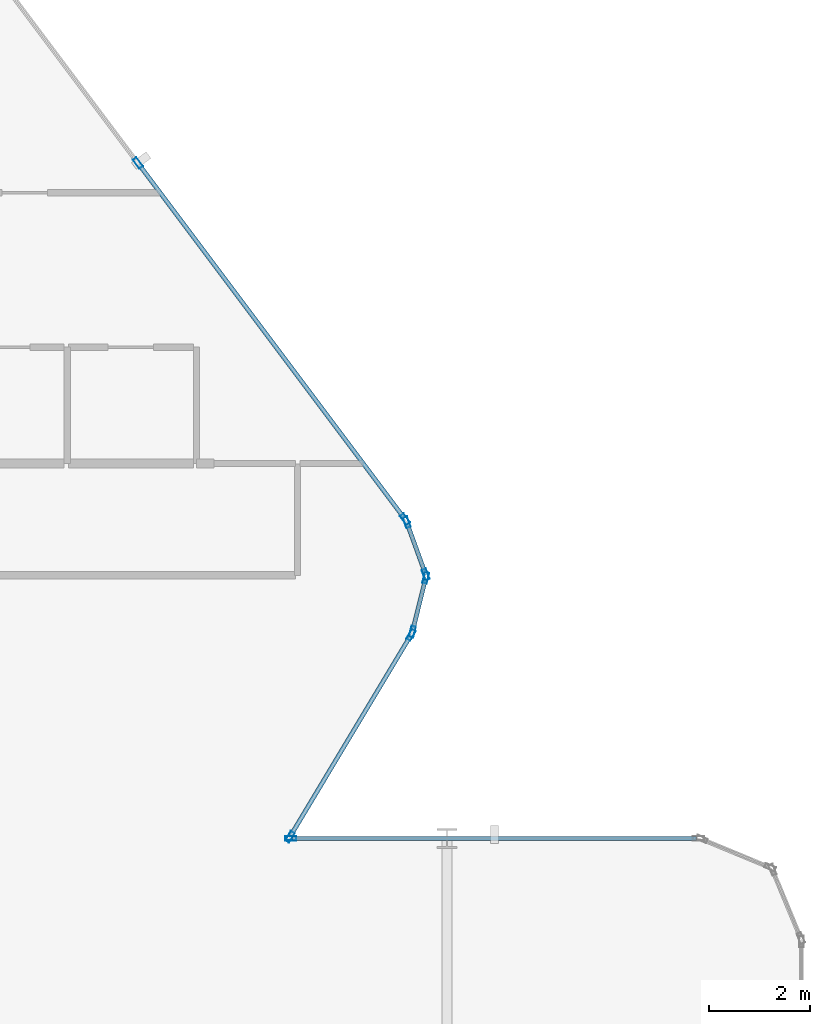
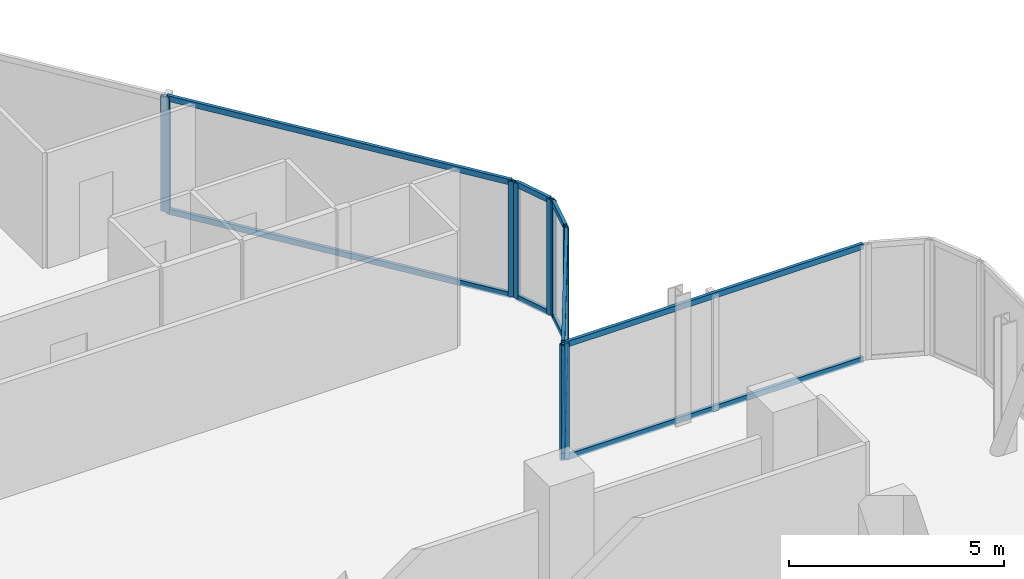
# One storey, part 15 of 34: 19 members, 5 elements without a shape of their own.
"""IFC4 building model written with IfcOpenShell, lengths in metres."""

import ifcopenshell
import ifcopenshell.guid

model = None  # the IFC model being written
_history = None  # IfcOwnerHistory: only IFC2X3 demands one
_inside = {}  # id of a spatial element -> (the spatial element, [elements in it])
_under = {}  # id of a project, library or spatial element -> (it, [spatial elements below it])
_declared = {}  # id of a project -> (the project, [libraries it declares])
_typed = {}  # id of a type object -> (the type object, [elements of that type])
_made_of = {}  # id of a material, layer set ... -> (it, [elements and type objects made of it])


def new_model(schema):
    """Start an empty IFC model of exactly this schema.

    Asked for "IFC4X3", IfcOpenShell would pick the latest addendum, in which some entities
    have other attributes; the version numbers below select the first issue.
    IFC2X3 requires an IfcOwnerHistory on every rooted entity: one is made here for all.
    """
    global model, _history
    if schema == "IFC4X3":
        model = ifcopenshell.file(schema_version=(4, 3, 0, 0))
    else:
        model = ifcopenshell.file(schema=schema)
    _inside.clear()
    _under.clear()
    _declared.clear()
    _typed.clear()
    _made_of.clear()
    _history = None
    if model.schema == "IFC2X3":
        org = make("IfcOrganization", Name="unknown")
        user = make(
            "IfcPersonAndOrganization",
            ThePerson=make("IfcPerson", FamilyName="unknown"),
            TheOrganization=org,
        )
        app = make(
            "IfcApplication",
            ApplicationDeveloper=org,
            Version="unknown",
            ApplicationFullName="unknown",
            ApplicationIdentifier="unknown",
        )
        _history = make(
            "IfcOwnerHistory",
            OwningUser=user,
            OwningApplication=app,
            ChangeAction="ADDED",
            CreationDate=0,
        )
    return model


def make(cls, **values):
    """One entity of the class cls with the attributes given. An attribute that is None is left unset."""
    return model.create_entity(
        cls, **{name: value for name, value in values.items() if value is not None}
    )


def rooted(cls, **values):
    """An entity with a GlobalId (a new one), such as an element, a storey or a relation."""
    return make(cls, GlobalId=ifcopenshell.guid.new(), OwnerHistory=_history, **values)


def si_unit(unit_type, name, prefix=None):
    """IfcSIUnit, for example si_unit("LENGTHUNIT", "METRE", prefix="MILLI")."""
    return make("IfcSIUnit", UnitType=unit_type, Prefix=prefix, Name=name)


def assignment(units):
    """IfcUnitAssignment: the units of a project."""
    return None if units is None else make("IfcUnitAssignment", Units=units)


def point(xyz):
    """IfcCartesianPoint."""
    return None if xyz is None else make("IfcCartesianPoint", Coordinates=xyz)


def direction(xyz):
    """IfcDirection."""
    return None if xyz is None else make("IfcDirection", DirectionRatios=xyz)


def frame(location, z_axis=None, x_axis=None):
    """IfcAxis2Placement3D, a coordinate frame: its origin and axes. An axis left out is left unset."""
    return make(
        "IfcAxis2Placement3D",
        Location=point(location),
        Axis=direction(z_axis),
        RefDirection=direction(x_axis),
    )


def frame_2d(location, x_axis=None):
    """IfcAxis2Placement2D, a coordinate frame in the plane: its origin and x axis."""
    return make(
        "IfcAxis2Placement2D", Location=point(location), RefDirection=direction(x_axis)
    )


def origin():
    """The frame at (0, 0, 0) with its axes left unset."""
    return frame((0.0, 0.0, 0.0))


def origin_2d():
    """The frame at (0, 0) in the plane with its x axis left unset."""
    return frame_2d((0.0, 0.0))


def place(relative_to, where):
    """IfcLocalPlacement: puts the frame where relative to a parent placement (None: the world)."""
    return make(
        "IfcLocalPlacement", PlacementRelTo=relative_to, RelativePlacement=where
    )


def context(
    kind, dimensions, precision=None, world=None, true_north=None, identifier=None
):
    """IfcGeometricRepresentationContext, for example the 3D "Model" context."""
    return make(
        "IfcGeometricRepresentationContext",
        ContextIdentifier=identifier,
        ContextType=kind,
        CoordinateSpaceDimension=dimensions,
        Precision=precision,
        WorldCoordinateSystem=world,
        TrueNorth=true_north,
    )


def subcontext(parent, identifier, kind, view, scale=None):
    """IfcGeometricRepresentationSubContext, for example "Body" below "Model"."""
    return make(
        "IfcGeometricRepresentationSubContext",
        ContextIdentifier=identifier,
        ContextType=kind,
        ParentContext=parent,
        TargetScale=scale,
        TargetView=view,
    )


def project(units=None, contexts=None):
    """IfcProject with its units and contexts."""
    return rooted(
        "IfcProject",
        Name="project",
        RepresentationContexts=contexts,
        UnitsInContext=assignment(units),
    )


def spatial(cls, under=None, at=None, **own):
    """A site, building, storey or space (cls), placed at a placement, below another one or the project."""
    s = rooted(cls, ObjectPlacement=at, **own)
    if under is not None:
        _under.setdefault(under.id(), (under, []))[1].append(s)
    return s


def profile(cls, at=None, kind="AREA", **sizes):
    """A parametric profile (cls). Its sizes go by their IFC names, for example OverallWidth=200.0."""
    return make(cls, ProfileType=kind, Position=at, **sizes)


def hollow_rectangle(**sizes):
    """IfcRectangleHollowProfileDef."""
    return profile("IfcRectangleHollowProfileDef", **sizes)


def extrude(swept, where, along, depth):
    """IfcExtrudedAreaSolid: the profile swept, set in the frame where, extruded along a direction by depth."""
    return make(
        "IfcExtrudedAreaSolid",
        SweptArea=swept,
        Position=where,
        ExtrudedDirection=direction(along),
        Depth=depth,
    )


def shape(context_of_items, identifier, shape_type, items):
    """IfcShapeRepresentation: the items that make up one representation, for example the "Body"."""
    return make(
        "IfcShapeRepresentation",
        ContextOfItems=context_of_items,
        RepresentationIdentifier=identifier,
        RepresentationType=shape_type,
        Items=items,
    )


def material(Name=None, Category=None):
    """IfcMaterial."""
    return make("IfcMaterial", Name=Name, Category=Category)


def layer(
    of_material, thickness, ventilated=None, Name=None, Category=None, Priority=None
):
    """IfcMaterialLayer: one layer of a wall or slab, of a material (None: an air gap)."""
    return make(
        "IfcMaterialLayer",
        Material=of_material,
        LayerThickness=thickness,
        IsVentilated=ventilated,
        Name=Name,
        Category=Category,
        Priority=Priority,
    )


def layer_set(layers, Name=None):
    """IfcMaterialLayerSet."""
    return make("IfcMaterialLayerSet", MaterialLayers=layers, LayerSetName=Name)


def material_profile(
    of_material, cross_section, Name=None, Category=None, Priority=None
):
    """IfcMaterialProfile: a cross section and its material."""
    return make(
        "IfcMaterialProfile",
        Name=Name,
        Material=of_material,
        Profile=cross_section,
        Priority=Priority,
        Category=Category,
    )


def profile_set(profiles, Name=None, composite=None):
    """IfcMaterialProfileSet."""
    return make(
        "IfcMaterialProfileSet",
        Name=Name,
        MaterialProfiles=profiles,
        CompositeProfile=composite,
    )


def made_of(thing, what):
    """Note that an element or type object is made of a material, layer set ...; save() writes the relation."""
    if what is not None:
        _made_of.setdefault(what.id(), (what, []))[1].append(thing)
    return thing


def type_object(cls, material=None, **own):
    """A type object (cls), such as IfcWallType, which elements share."""
    return made_of(rooted(cls, **own), material)


def element(
    cls,
    number,
    at=None,
    inside=None,
    cuts=None,
    type_object=None,
    material=None,
    context=None,
    identifier="Body",
    shape_type=None,
    held_by="IfcProductDefinitionShape",
    body=None,
    shapes=None,
    **own,
):
    """One element of the class cls, such as IfcWall. Its Tag is "e" and its number.

    at: its placement. inside: the storey or other place that contains it. cuts: it is an
    opening in that element (IfcRelVoidsElement). A single representation is given by context,
    identifier, shape_type and body (its items); several are given by shapes. held_by: the class
    of the entity that holds the representations. save() writes the other relations.
    """
    e = rooted(cls, Tag="e%d" % number, ObjectPlacement=at, **own)
    if body is not None:
        shapes = [shape(context, identifier, shape_type, body)]
    if shapes is not None:
        e.Representation = make(held_by, Representations=shapes)
    if inside is not None:
        _inside.setdefault(inside.id(), (inside, []))[1].append(e)
    if cuts is not None:
        rooted(
            "IfcRelVoidsElement", RelatingBuildingElement=cuts, RelatedOpeningElement=e
        )
    if type_object is not None:
        _typed.setdefault(type_object.id(), (type_object, []))[1].append(e)
    return made_of(e, material)


def aggregate(whole, parts):
    """IfcRelAggregates: a whole, such as a stair, and the parts it consists of."""
    return rooted("IfcRelAggregates", RelatingObject=whole, RelatedObjects=parts)


def save(model, path):
    """Write the relations noted so far, then the file.

    IfcRelAggregates (storeys below a building ...), IfcRelContainedInSpatialStructure (elements
    in a storey), IfcRelDefinesByType, IfcRelAssociatesMaterial and IfcRelDeclares: one each for
    every whole, place, type object, material and project.
    """
    for whole, parts in _under.values():
        aggregate(whole, parts)
    for where, things in _inside.values():
        rooted(
            "IfcRelContainedInSpatialStructure",
            RelatedElements=things,
            RelatingStructure=where,
        )
    for kind, things in _typed.values():
        rooted("IfcRelDefinesByType", RelatedObjects=things, RelatingType=kind)
    for what, things in _made_of.values():
        rooted("IfcRelAssociatesMaterial", RelatedObjects=things, RelatingMaterial=what)
    for by, libraries in _declared.values():
        rooted("IfcRelDeclares", RelatingContext=by, RelatedDefinitions=libraries)
    model.write(path)


model = new_model("IFC4")

# Units and contexts
model_context = context("Model", 3, precision=1e-05, world=origin(), true_north=direction((0.0, 1.0)))
body_context = subcontext(model_context, "Body", "Model", "MODEL_VIEW")
ifc_project = project(units=[si_unit("LENGTHUNIT", "METRE"), si_unit("AREAUNIT", "SQUARE_METRE"), si_unit("VOLUMEUNIT", "CUBIC_METRE"), si_unit("PLANEANGLEUNIT", "RADIAN"), si_unit("MASSUNIT", "GRAM", prefix="KILO")], contexts=[model_context])

# Site, building, storey
site_placement = place(None, origin())
site = spatial("IfcSite", under=ifc_project, at=site_placement, CompositionType="ELEMENT")
building_placement = place(site_placement, origin())
building = spatial("IfcBuilding", under=site, at=building_placement, Name="Keshet Zoharim Tower", CompositionType="ELEMENT")
storey_placement = place(building_placement, frame((0.0, 0.0, 77.5)))
storey = spatial("IfcBuildingStorey", under=building, at=storey_placement, Name="L18", CompositionType="ELEMENT", Elevation=77.5)

# Curtain wall, members
ifc_material = material(Name="Aluminium 6063-T6", Category="aluminium")
ifc_layer_1 = layer(ifc_material, 0.169921875)
ifc_layer_set_1 = layer_set([ifc_layer_1], Name="Aluminium 6063-T6")
curtain_wall_type_1 = type_object("IfcCurtainWallType", Name="CW-SYS-02", PredefinedType="NOTDEFINED", material=ifc_layer_set_1)
curtain_wall_1_placement = place(storey_placement, origin())
curtain_wall_1 = element("IfcCurtainWall", 1, at=curtain_wall_1_placement, inside=storey, type_object=curtain_wall_type_1, Name="L18 Unitised Curtain Wall 09", PredefinedType="NOTDEFINED")
ifc_material_profile_1 = material_profile(ifc_material, hollow_rectangle(XDim=0.090087890625, YDim=0.219970703125, WallThickness=0.0048828125, at=origin_2d()), Name="MUL-90x220")
ifc_profile_set_1 = profile_set([ifc_material_profile_1], Name="Aluminium 6063-T6")
member_type_1 = type_object("IfcMemberType", Name="CWM-M22", PredefinedType="MULLION", material=ifc_profile_set_1)
member_1_placement = place(storey_placement, frame((56.896484375, 46.0380859375, 0.0), z_axis=(0.0, 0.0, 1.0), x_axis=(0.799999999998, 0.600000000002, 0.0)))
member_1 = element("IfcMember", 2, at=member_1_placement, type_object=member_type_1, Name="CW-02 mullion 2", PredefinedType="MULLION", context=body_context, shape_type="SweptSolid", body=[
    extrude(hollow_rectangle(XDim=0.090087890625, YDim=0.219970703125, WallThickness=0.0048828125, at=origin_2d()), origin(), (0.0, 0.0, 1.0), 3.280029296875),
])
member_2_placement = place(storey_placement, frame((62.172119140625, 39.00390625, 0.0), z_axis=(0.0, 0.0, 1.0), x_axis=(0.799999999998, 0.600000000002, 0.0)))
member_2 = element("IfcMember", 3, at=member_2_placement, type_object=member_type_1, Name="CW-02 mullion 3", PredefinedType="MULLION", context=body_context, shape_type="SweptSolid", body=[
    extrude(hollow_rectangle(XDim=0.090087890625, YDim=0.219970703125, WallThickness=0.0048828125, at=origin_2d()), origin(), (0.0, 0.0, 1.0), 3.280029296875),
])

curtain_wall_2_placement = place(storey_placement, origin())
curtain_wall_2 = element("IfcCurtainWall", 4, at=curtain_wall_2_placement, inside=storey, type_object=curtain_wall_type_1, Name="L18 Unitised Curtain Wall 10", PredefinedType="NOTDEFINED")
member_3_placement = place(storey_placement, frame((62.204833984375, 38.943115234375, 0.0), z_axis=(0.0, 0.0, 1.0), x_axis=(0.940317877544, 0.340297354046, 0.0)))
member_3 = element("IfcMember", 5, at=member_3_placement, type_object=member_type_1, Name="CW-02 mullion 1", PredefinedType="MULLION", context=body_context, shape_type="SweptSolid", body=[
    extrude(hollow_rectangle(XDim=0.090087890625, YDim=0.219970703125, WallThickness=0.0048828125, at=origin_2d()), origin(), (0.0, 0.0, 1.0), 3.280029296875),
])
member_4_placement = place(storey_placement, frame((62.578125, 37.911865234375, 0.0), z_axis=(0.0, 0.0, 1.0), x_axis=(0.940317877544, 0.340297354046, 0.0)))
member_4 = element("IfcMember", 6, at=member_4_placement, type_object=member_type_1, Name="CW-02 mullion 2", PredefinedType="MULLION", context=body_context, shape_type="SweptSolid", body=[
    extrude(hollow_rectangle(XDim=0.090087890625, YDim=0.219970703125, WallThickness=0.0048828125, at=origin_2d()), origin(), (0.0, 0.0, 1.0), 3.280029296875),
])

curtain_wall_3_placement = place(storey_placement, origin())
curtain_wall_3 = element("IfcCurtainWall", 7, at=curtain_wall_3_placement, inside=storey, type_object=curtain_wall_type_1, Name="L18 Unitised Curtain Wall 11", PredefinedType="NOTDEFINED")
member_5_placement = place(storey_placement, frame((62.58154296875, 37.844970703125, 0.0), z_axis=(0.0, 0.0, 1.0), x_axis=(0.970343857447, -0.241728770141, 0.0)))
member_5 = element("IfcMember", 8, at=member_5_placement, type_object=member_type_1, Name="CW-02 mullion 1", PredefinedType="MULLION", context=body_context, shape_type="SweptSolid", body=[
    extrude(hollow_rectangle(XDim=0.090087890625, YDim=0.219970703125, WallThickness=0.0048828125, at=origin_2d()), origin(), (0.0, 0.0, 1.0), 3.280029296875),
])
member_6_placement = place(storey_placement, frame((62.31640625, 36.781005859375, 0.0), z_axis=(0.0, 0.0, 1.0), x_axis=(0.970343857447, -0.241728770141, 0.0)))
member_6 = element("IfcMember", 9, at=member_6_placement, type_object=member_type_1, Name="CW-02 mullion 2", PredefinedType="MULLION", context=body_context, shape_type="SweptSolid", body=[
    extrude(hollow_rectangle(XDim=0.090087890625, YDim=0.219970703125, WallThickness=0.0048828125, at=origin_2d()), origin(), (0.0, 0.0, 1.0), 3.280029296875),
])

ifc_layer_2 = layer(ifc_material, 0.179931640625)
ifc_layer_set_2 = layer_set([ifc_layer_2], Name="Aluminium 6063-T6")
curtain_wall_type_2 = type_object("IfcCurtainWallType", Name="CW-SYS-01", PredefinedType="NOTDEFINED", material=ifc_layer_set_2)
curtain_wall_4_placement = place(storey_placement, origin())
curtain_wall_4 = element("IfcCurtainWall", 10, at=curtain_wall_4_placement, inside=storey, type_object=curtain_wall_type_2, Name="L18 Unitised Curtain Wall 12", PredefinedType="NOTDEFINED")
member_7_placement = place(storey_placement, frame((62.2900390625, 36.717041015625, 0.0), z_axis=(0.0, 0.0, 1.0), x_axis=(0.857511621163, -0.51446459506, 0.0)))
member_7 = element("IfcMember", 11, at=member_7_placement, type_object=member_type_1, Name="CW-01 mullion 1", PredefinedType="MULLION", context=body_context, shape_type="SweptSolid", body=[
    extrude(hollow_rectangle(XDim=0.090087890625, YDim=0.219970703125, WallThickness=0.0048828125, at=origin_2d()), origin(), (0.0, 0.0, 1.0), 3.280029296875),
])
member_8_placement = place(storey_placement, frame((59.89794921875, 32.72998046875, 0.0), z_axis=(0.0, 0.0, 1.0), x_axis=(0.857511621163, -0.51446459506, 0.0)))
member_8 = element("IfcMember", 12, at=member_8_placement, type_object=member_type_1, Name="CW-01 mullion 2", PredefinedType="MULLION", context=body_context, shape_type="SweptSolid", body=[
    extrude(hollow_rectangle(XDim=0.090087890625, YDim=0.219970703125, WallThickness=0.0048828125, at=origin_2d()), origin(), (0.0, 0.0, 1.0), 3.280029296875),
])

# Curtain wall, member
curtain_wall_5_placement = place(storey_placement, origin())
curtain_wall_5 = element("IfcCurtainWall", 13, at=curtain_wall_5_placement, inside=storey, type_object=curtain_wall_type_1, Name="L18 Unitised Curtain Wall 13", PredefinedType="NOTDEFINED")
member_9_placement = place(storey_placement, frame((59.9150390625, 32.699951171875, 0.0), z_axis=(0.0, 0.0, 1.0), x_axis=(0.0, 1.0, 0.0)))
member_9 = element("IfcMember", 14, at=member_9_placement, type_object=member_type_1, Name="CW-02 mullion 1", PredefinedType="MULLION", context=body_context, shape_type="SweptSolid", body=[
    extrude(hollow_rectangle(XDim=0.090087890625, YDim=0.219970703125, WallThickness=0.0048828125, at=origin_2d()), origin(), (0.0, 0.0, 1.0), 3.280029296875),
])

# Member
ifc_material_profile_2 = material_profile(ifc_material, hollow_rectangle(XDim=0.0849609375, YDim=0.159912109375, WallThickness=0.00439453125, at=origin_2d()), Name="TRN-85x160")
ifc_profile_set_2 = profile_set([ifc_material_profile_2], Name="Aluminium 6063-T6")
member_type_2 = type_object("IfcMemberType", Name="CWT-T16", PredefinedType="USERDEFINED", material=ifc_profile_set_2)
member_10_placement = place(storey_placement, frame((56.91748046875, 46.010009765625, 0.034912109375), z_axis=(0.599991043201, -0.800006717521, 0.0), x_axis=(0.800006717521, 0.599991043201, 0.0)))
member_10 = element("IfcMember", 15, at=member_10_placement, type_object=member_type_2, Name="CW-02 transom 2.1", ObjectType="TRANSOM", PredefinedType="USERDEFINED", context=body_context, shape_type="SweptSolid", body=[
    extrude(hollow_rectangle(XDim=0.0849609375, YDim=0.159912109375, WallThickness=0.00439453125, at=origin_2d()), origin(), (0.0, 0.0, 1.0), 8.722412109375),
])

member_11_placement = place(storey_placement, frame((56.91748046875, 46.010009765625, 3.2451171875), z_axis=(0.599991043201, -0.800006717521, 0.0), x_axis=(0.800006717521, 0.599991043201, 0.0)))
member_11 = element("IfcMember", 16, at=member_11_placement, type_object=member_type_2, Name="CW-02 transom 2.2", ObjectType="TRANSOM", PredefinedType="USERDEFINED", context=body_context, shape_type="SweptSolid", body=[
    extrude(hollow_rectangle(XDim=0.0849609375, YDim=0.159912109375, WallThickness=0.00439453125, at=origin_2d()), origin(), (0.0, 0.0, 1.0), 8.722412109375),
])

aggregate(curtain_wall_1, [member_1, member_2, member_10, member_11])

member_12_placement = place(storey_placement, frame((62.216796875, 38.91015625, 0.034912109375), z_axis=(0.340310579984, -0.940313091024, 0.0), x_axis=(0.940313091024, 0.340310579984, 0.0)))
member_12 = element("IfcMember", 17, at=member_12_placement, type_object=member_type_2, Name="CW-02 transom 1.1", ObjectType="TRANSOM", PredefinedType="USERDEFINED", context=body_context, shape_type="SweptSolid", body=[
    extrude(hollow_rectangle(XDim=0.0849609375, YDim=0.159912109375, WallThickness=0.00439453125, at=origin_2d()), origin(), (0.0, 0.0, 1.0), 1.026611328125),
])

member_13_placement = place(storey_placement, frame((62.216796875, 38.91015625, 3.2451171875), z_axis=(0.340310579984, -0.940313091024, 0.0), x_axis=(0.940313091024, 0.340310579984, 0.0)))
member_13 = element("IfcMember", 18, at=member_13_placement, type_object=member_type_2, Name="CW-02 transom 1.2", ObjectType="TRANSOM", PredefinedType="USERDEFINED", context=body_context, shape_type="SweptSolid", body=[
    extrude(hollow_rectangle(XDim=0.0849609375, YDim=0.159912109375, WallThickness=0.00439453125, at=origin_2d()), origin(), (0.0, 0.0, 1.0), 1.026611328125),
])

aggregate(curtain_wall_2, [member_3, member_4, member_12, member_13])

member_14_placement = place(storey_placement, frame((62.572998046875, 37.81103515625, 0.034912109375), z_axis=(-0.241640143717, -0.970365931463, 0.0), x_axis=(0.970365931463, -0.241640143717, 0.0)))
member_14 = element("IfcMember", 19, at=member_14_placement, type_object=member_type_2, Name="CW-02 transom 1.1", ObjectType="TRANSOM", PredefinedType="USERDEFINED", context=body_context, shape_type="SweptSolid", body=[
    extrude(hollow_rectangle(XDim=0.0849609375, YDim=0.159912109375, WallThickness=0.00439453125, at=origin_2d()), origin(), (0.0, 0.0, 1.0), 1.026611328125),
])

member_15_placement = place(storey_placement, frame((62.572998046875, 37.81103515625, 3.2451171875), z_axis=(-0.241640143717, -0.970365931463, 0.0), x_axis=(0.970365931463, -0.241640143717, 0.0)))
member_15 = element("IfcMember", 20, at=member_15_placement, type_object=member_type_2, Name="CW-02 transom 1.2", ObjectType="TRANSOM", PredefinedType="USERDEFINED", context=body_context, shape_type="SweptSolid", body=[
    extrude(hollow_rectangle(XDim=0.0849609375, YDim=0.159912109375, WallThickness=0.00439453125, at=origin_2d()), origin(), (0.0, 0.0, 1.0), 1.026611328125),
])

aggregate(curtain_wall_3, [member_5, member_6, member_14, member_15])

member_16_placement = place(storey_placement, frame((62.27197265625, 36.68701171875, 0.034912109375), z_axis=(-0.514456555213, -0.857516444622, 0.0), x_axis=(0.857516444622, -0.514456555213, 0.0)))
member_16 = element("IfcMember", 21, at=member_16_placement, type_object=member_type_2, Name="CW-01 transom 1.1", ObjectType="TRANSOM", PredefinedType="USERDEFINED", context=body_context, shape_type="SweptSolid", body=[
    extrude(hollow_rectangle(XDim=0.0849609375, YDim=0.159912109375, WallThickness=0.00439453125, at=origin_2d()), origin(), (0.0, 0.0, 1.0), 4.57958984375),
])

member_17_placement = place(storey_placement, frame((62.27197265625, 36.68701171875, 3.2451171875), z_axis=(-0.514456555213, -0.857516444622, 0.0), x_axis=(0.857516444622, -0.514456555213, 0.0)))
member_17 = element("IfcMember", 22, at=member_17_placement, type_object=member_type_2, Name="CW-01 transom 1.2", ObjectType="TRANSOM", PredefinedType="USERDEFINED", context=body_context, shape_type="SweptSolid", body=[
    extrude(hollow_rectangle(XDim=0.0849609375, YDim=0.159912109375, WallThickness=0.00439453125, at=origin_2d()), origin(), (0.0, 0.0, 1.0), 4.57958984375),
])

aggregate(curtain_wall_4, [member_7, member_8, member_16, member_17])

member_18_placement = place(storey_placement, frame((59.949951171875, 32.699951171875, 0.034912109375), z_axis=(1.0, 0.0, 0.0), x_axis=(0.0, 1.0, 0.0)))
member_18 = element("IfcMember", 23, at=member_18_placement, type_object=member_type_2, Name="CW-02 transom 1.1", ObjectType="TRANSOM", PredefinedType="USERDEFINED", context=body_context, shape_type="SweptSolid", body=[
    extrude(hollow_rectangle(XDim=0.0849609375, YDim=0.159912109375, WallThickness=0.00439453125, at=origin_2d()), origin(), (0.0, 0.0, 1.0), 7.97998046875),
])

member_19_placement = place(storey_placement, frame((59.949951171875, 32.699951171875, 3.2451171875), z_axis=(1.0, 0.0, 0.0), x_axis=(0.0, 1.0, 0.0)))
member_19 = element("IfcMember", 24, at=member_19_placement, type_object=member_type_2, Name="CW-02 transom 1.2", ObjectType="TRANSOM", PredefinedType="USERDEFINED", context=body_context, shape_type="SweptSolid", body=[
    extrude(hollow_rectangle(XDim=0.0849609375, YDim=0.159912109375, WallThickness=0.00439453125, at=origin_2d()), origin(), (0.0, 0.0, 1.0), 7.97998046875),
])

aggregate(curtain_wall_5, [member_9, member_18, member_19])

save(model, "model.ifc")
